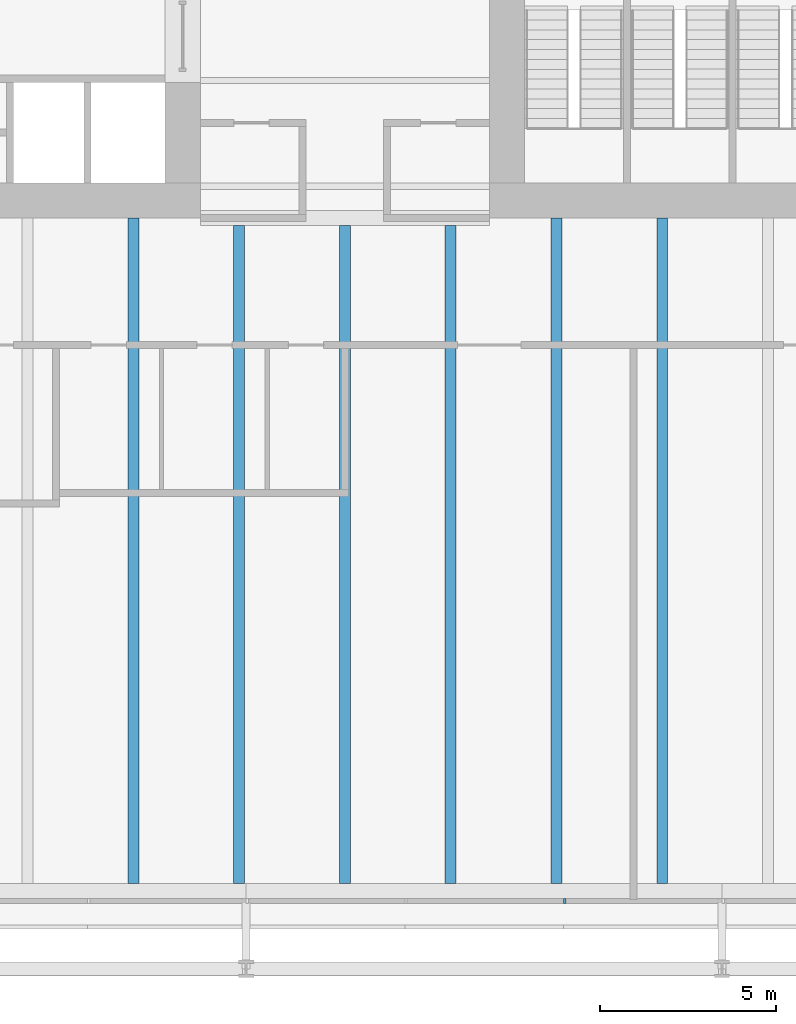
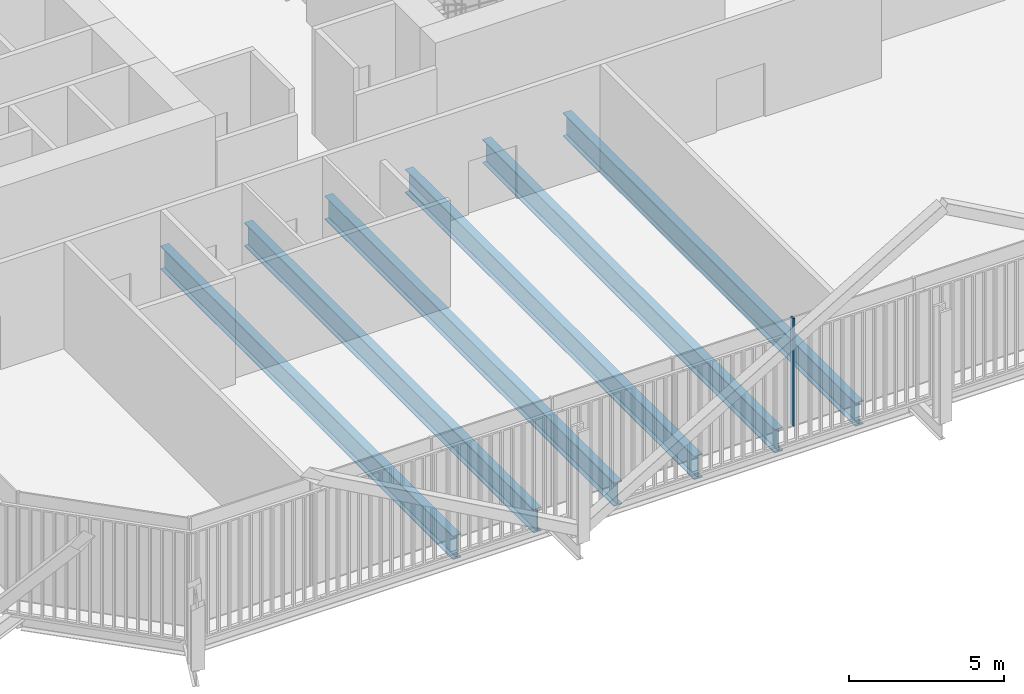
# One storey, part 4 of 21: 6 beams, 1 member, 1 element without a shape of its own.
"""IFC4 building model written with IfcOpenShell, lengths in metres."""

import ifcopenshell
import ifcopenshell.guid

model = None  # the IFC model being written
_history = None  # IfcOwnerHistory: only IFC2X3 demands one
_inside = {}  # id of a spatial element -> (the spatial element, [elements in it])
_under = {}  # id of a project, library or spatial element -> (it, [spatial elements below it])
_declared = {}  # id of a project -> (the project, [libraries it declares])
_typed = {}  # id of a type object -> (the type object, [elements of that type])
_made_of = {}  # id of a material, layer set ... -> (it, [elements and type objects made of it])


def new_model(schema):
    """Start an empty IFC model of exactly this schema.

    Asked for "IFC4X3", IfcOpenShell would pick the latest addendum, in which some entities
    have other attributes; the version numbers below select the first issue.
    IFC2X3 requires an IfcOwnerHistory on every rooted entity: one is made here for all.
    """
    global model, _history
    if schema == "IFC4X3":
        model = ifcopenshell.file(schema_version=(4, 3, 0, 0))
    else:
        model = ifcopenshell.file(schema=schema)
    _inside.clear()
    _under.clear()
    _declared.clear()
    _typed.clear()
    _made_of.clear()
    _history = None
    if model.schema == "IFC2X3":
        org = make("IfcOrganization", Name="unknown")
        user = make(
            "IfcPersonAndOrganization",
            ThePerson=make("IfcPerson", FamilyName="unknown"),
            TheOrganization=org,
        )
        app = make(
            "IfcApplication",
            ApplicationDeveloper=org,
            Version="unknown",
            ApplicationFullName="unknown",
            ApplicationIdentifier="unknown",
        )
        _history = make(
            "IfcOwnerHistory",
            OwningUser=user,
            OwningApplication=app,
            ChangeAction="ADDED",
            CreationDate=0,
        )
    return model


def make(cls, **values):
    """One entity of the class cls with the attributes given. An attribute that is None is left unset."""
    return model.create_entity(
        cls, **{name: value for name, value in values.items() if value is not None}
    )


def rooted(cls, **values):
    """An entity with a GlobalId (a new one), such as an element, a storey or a relation."""
    return make(cls, GlobalId=ifcopenshell.guid.new(), OwnerHistory=_history, **values)


def si_unit(unit_type, name, prefix=None):
    """IfcSIUnit, for example si_unit("LENGTHUNIT", "METRE", prefix="MILLI")."""
    return make("IfcSIUnit", UnitType=unit_type, Prefix=prefix, Name=name)


def assignment(units):
    """IfcUnitAssignment: the units of a project."""
    return None if units is None else make("IfcUnitAssignment", Units=units)


def point(xyz):
    """IfcCartesianPoint."""
    return None if xyz is None else make("IfcCartesianPoint", Coordinates=xyz)


def direction(xyz):
    """IfcDirection."""
    return None if xyz is None else make("IfcDirection", DirectionRatios=xyz)


def frame(location, z_axis=None, x_axis=None):
    """IfcAxis2Placement3D, a coordinate frame: its origin and axes. An axis left out is left unset."""
    return make(
        "IfcAxis2Placement3D",
        Location=point(location),
        Axis=direction(z_axis),
        RefDirection=direction(x_axis),
    )


def frame_2d(location, x_axis=None):
    """IfcAxis2Placement2D, a coordinate frame in the plane: its origin and x axis."""
    return make(
        "IfcAxis2Placement2D", Location=point(location), RefDirection=direction(x_axis)
    )


def origin():
    """The frame at (0, 0, 0) with its axes left unset."""
    return frame((0.0, 0.0, 0.0))


def origin_2d():
    """The frame at (0, 0) in the plane with its x axis left unset."""
    return frame_2d((0.0, 0.0))


def place(relative_to, where):
    """IfcLocalPlacement: puts the frame where relative to a parent placement (None: the world)."""
    return make(
        "IfcLocalPlacement", PlacementRelTo=relative_to, RelativePlacement=where
    )


def context(
    kind, dimensions, precision=None, world=None, true_north=None, identifier=None
):
    """IfcGeometricRepresentationContext, for example the 3D "Model" context."""
    return make(
        "IfcGeometricRepresentationContext",
        ContextIdentifier=identifier,
        ContextType=kind,
        CoordinateSpaceDimension=dimensions,
        Precision=precision,
        WorldCoordinateSystem=world,
        TrueNorth=true_north,
    )


def subcontext(parent, identifier, kind, view, scale=None):
    """IfcGeometricRepresentationSubContext, for example "Body" below "Model"."""
    return make(
        "IfcGeometricRepresentationSubContext",
        ContextIdentifier=identifier,
        ContextType=kind,
        ParentContext=parent,
        TargetScale=scale,
        TargetView=view,
    )


def project(units=None, contexts=None):
    """IfcProject with its units and contexts."""
    return rooted(
        "IfcProject",
        Name="project",
        RepresentationContexts=contexts,
        UnitsInContext=assignment(units),
    )


def spatial(cls, under=None, at=None, **own):
    """A site, building, storey or space (cls), placed at a placement, below another one or the project."""
    s = rooted(cls, ObjectPlacement=at, **own)
    if under is not None:
        _under.setdefault(under.id(), (under, []))[1].append(s)
    return s


def profile(cls, at=None, kind="AREA", **sizes):
    """A parametric profile (cls). Its sizes go by their IFC names, for example OverallWidth=200.0."""
    return make(cls, ProfileType=kind, Position=at, **sizes)


def rectangle(**sizes):
    """IfcRectangleProfileDef."""
    return profile("IfcRectangleProfileDef", **sizes)


def i_section(**sizes):
    """IfcIShapeProfileDef."""
    return profile("IfcIShapeProfileDef", **sizes)


def extrude(swept, where, along, depth):
    """IfcExtrudedAreaSolid: the profile swept, set in the frame where, extruded along a direction by depth."""
    return make(
        "IfcExtrudedAreaSolid",
        SweptArea=swept,
        Position=where,
        ExtrudedDirection=direction(along),
        Depth=depth,
    )


def shape(context_of_items, identifier, shape_type, items):
    """IfcShapeRepresentation: the items that make up one representation, for example the "Body"."""
    return make(
        "IfcShapeRepresentation",
        ContextOfItems=context_of_items,
        RepresentationIdentifier=identifier,
        RepresentationType=shape_type,
        Items=items,
    )


def material(Name=None, Category=None):
    """IfcMaterial."""
    return make("IfcMaterial", Name=Name, Category=Category)


def layer(
    of_material, thickness, ventilated=None, Name=None, Category=None, Priority=None
):
    """IfcMaterialLayer: one layer of a wall or slab, of a material (None: an air gap)."""
    return make(
        "IfcMaterialLayer",
        Material=of_material,
        LayerThickness=thickness,
        IsVentilated=ventilated,
        Name=Name,
        Category=Category,
        Priority=Priority,
    )


def layer_set(layers, Name=None):
    """IfcMaterialLayerSet."""
    return make("IfcMaterialLayerSet", MaterialLayers=layers, LayerSetName=Name)


def material_profile(
    of_material, cross_section, Name=None, Category=None, Priority=None
):
    """IfcMaterialProfile: a cross section and its material."""
    return make(
        "IfcMaterialProfile",
        Name=Name,
        Material=of_material,
        Profile=cross_section,
        Priority=Priority,
        Category=Category,
    )


def profile_set(profiles, Name=None, composite=None):
    """IfcMaterialProfileSet."""
    return make(
        "IfcMaterialProfileSet",
        Name=Name,
        MaterialProfiles=profiles,
        CompositeProfile=composite,
    )


def made_of(thing, what):
    """Note that an element or type object is made of a material, layer set ...; save() writes the relation."""
    if what is not None:
        _made_of.setdefault(what.id(), (what, []))[1].append(thing)
    return thing


def type_object(cls, material=None, **own):
    """A type object (cls), such as IfcWallType, which elements share."""
    return made_of(rooted(cls, **own), material)


def element(
    cls,
    number,
    at=None,
    inside=None,
    cuts=None,
    type_object=None,
    material=None,
    context=None,
    identifier="Body",
    shape_type=None,
    held_by="IfcProductDefinitionShape",
    body=None,
    shapes=None,
    **own,
):
    """One element of the class cls, such as IfcWall. Its Tag is "e" and its number.

    at: its placement. inside: the storey or other place that contains it. cuts: it is an
    opening in that element (IfcRelVoidsElement). A single representation is given by context,
    identifier, shape_type and body (its items); several are given by shapes. held_by: the class
    of the entity that holds the representations. save() writes the other relations.
    """
    e = rooted(cls, Tag="e%d" % number, ObjectPlacement=at, **own)
    if body is not None:
        shapes = [shape(context, identifier, shape_type, body)]
    if shapes is not None:
        e.Representation = make(held_by, Representations=shapes)
    if inside is not None:
        _inside.setdefault(inside.id(), (inside, []))[1].append(e)
    if cuts is not None:
        rooted(
            "IfcRelVoidsElement", RelatingBuildingElement=cuts, RelatedOpeningElement=e
        )
    if type_object is not None:
        _typed.setdefault(type_object.id(), (type_object, []))[1].append(e)
    return made_of(e, material)


def aggregate(whole, parts):
    """IfcRelAggregates: a whole, such as a stair, and the parts it consists of."""
    return rooted("IfcRelAggregates", RelatingObject=whole, RelatedObjects=parts)


def save(model, path):
    """Write the relations noted so far, then the file.

    IfcRelAggregates (storeys below a building ...), IfcRelContainedInSpatialStructure (elements
    in a storey), IfcRelDefinesByType, IfcRelAssociatesMaterial and IfcRelDeclares: one each for
    every whole, place, type object, material and project.
    """
    for whole, parts in _under.values():
        aggregate(whole, parts)
    for where, things in _inside.values():
        rooted(
            "IfcRelContainedInSpatialStructure",
            RelatedElements=things,
            RelatingStructure=where,
        )
    for kind, things in _typed.values():
        rooted("IfcRelDefinesByType", RelatedObjects=things, RelatingType=kind)
    for what, things in _made_of.values():
        rooted("IfcRelAssociatesMaterial", RelatedObjects=things, RelatingMaterial=what)
    for by, libraries in _declared.values():
        rooted("IfcRelDeclares", RelatingContext=by, RelatedDefinitions=libraries)
    model.write(path)


model = new_model("IFC4")

# Units and contexts
model_context = context("Model", 3, precision=1e-05, world=origin(), true_north=direction((0.0, 1.0)))
body_context = subcontext(model_context, "Body", "Model", "MODEL_VIEW")
ifc_project = project(units=[si_unit("LENGTHUNIT", "METRE"), si_unit("AREAUNIT", "SQUARE_METRE"), si_unit("VOLUMEUNIT", "CUBIC_METRE"), si_unit("PLANEANGLEUNIT", "RADIAN"), si_unit("MASSUNIT", "GRAM", prefix="KILO")], contexts=[model_context])

# Site, building, storey
site_placement = place(None, origin())
site = spatial("IfcSite", under=ifc_project, at=site_placement, CompositionType="ELEMENT")
building_placement = place(site_placement, origin())
building = spatial("IfcBuilding", under=site, at=building_placement, Name="Millrace Tower", CompositionType="ELEMENT")
storey_placement = place(building_placement, frame((0.0, 0.0, 95.199951171875)))
storey = spatial("IfcBuildingStorey", under=building, at=storey_placement, Name="L21", CompositionType="ELEMENT", Elevation=95.199951171875)

# Curtain wall, member
ifc_material_1 = material(Name="Aluminium and glass", Category="aluminium")
ifc_layer = layer(ifc_material_1, 0.14990234375)
ifc_layer_set = layer_set([ifc_layer], Name="Aluminium and glass")
curtain_wall_type = type_object("IfcCurtainWallType", Name="CW-3 telecom floor curtain wall", PredefinedType="NOTDEFINED", material=ifc_layer_set)
curtain_wall_placement = place(storey_placement, origin())
curtain_wall = element("IfcCurtainWall", 1, at=curtain_wall_placement, inside=storey, type_object=curtain_wall_type, Name="Curtain wall B-F02 L21", PredefinedType="NOTDEFINED")
ifc_material_2 = material(Name="Aluminium", Category="aluminium")
ifc_material_profile_1 = material_profile(ifc_material_2, rectangle(XDim=0.06494140625, YDim=0.14990234375, at=origin_2d()))
ifc_profile_set_1 = profile_set([ifc_material_profile_1], Name="Aluminium")
member_type = type_object("IfcMemberType", Name="CW-3 telecom floor curtain wall mullion", PredefinedType="MULLION", material=ifc_profile_set_1)
member_placement = place(storey_placement, frame((6.232421875, -29.27490234375, 0.150146484375), z_axis=(0.0, 0.0, 1.0), x_axis=(1.0, 0.0, 0.0)))
member = element("IfcMember", 2, at=member_placement, type_object=member_type, Name="CW3 mullion B-F02.6", PredefinedType="MULLION", context=body_context, shape_type="SweptSolid", body=[
    extrude(rectangle(XDim=0.06494140625, YDim=0.14990234375, at=origin_2d()), origin(), (0.0, 0.0, 1.0), 4.25),
])
aggregate(curtain_wall, [member])

# Beams
ifc_material_3 = material(Name="Steel ASTM A992 Grade 50", Category="steel")
ifc_material_profile_2 = material_profile(ifc_material_3, i_section(OverallWidth=0.307373046875, OverallDepth=0.927001953125, WebThickness=0.01953125, FlangeThickness=0.031982421875, FilletRadius=0.01904296875, at=origin_2d()))
ifc_profile_set_2 = profile_set([ifc_material_profile_2], Name="Steel ASTM A992 Grade 50")
beam_type = type_object("IfcBeamType", Name="Floor beam W36x194", PredefinedType="JOIST", material=ifc_profile_set_2)
beam_placement = place(storey_placement, frame((-6.0, -28.781005859375, -0.66357421875), z_axis=(0.0, 1.0, 0.0), x_axis=(-1.0, 0.0, 0.0)))
element("IfcBeam", 3, at=beam_placement, inside=storey, type_object=beam_type, Name="BM-B-L21-S1-S045", PredefinedType="JOIST", context=body_context, shape_type="SweptSolid", body=[
    extrude(i_section(OverallWidth=0.307373046875, OverallDepth=0.927001953125, WebThickness=0.01953125, FlangeThickness=0.031982421875, FilletRadius=0.01904296875, at=origin_2d()), origin(), (0.0, 0.0, 1.0), 18.881103515625),
])
for number, where, z_axis, x_axis, name in (
    (4, (-3.0, -28.781005859375, -0.66357421875), (0.0, 1.0, 0.0), (-1.0, 0.0, 0.0), "BM-B-L21-S1-S047"),
    (5, (0.0, -28.781005859375, -0.66357421875), (0.0, 1.0, 0.0), (-1.0, 0.0, 0.0), "BM-B-L21-S1-S049"),
    (6, (3.0, -28.781005859375, -0.66357421875), (0.0, 1.0, 0.0), (-1.0, 0.0, 0.0), "BM-B-L21-S1-S051"),
):
    element("IfcBeam", number, at=place(storey_placement, frame(where, z_axis=z_axis, x_axis=x_axis)), inside=storey, type_object=beam_type, Name=name, PredefinedType="JOIST", context=body_context, shape_type="SweptSolid", body=[
        extrude(i_section(OverallWidth=0.307373046875, OverallDepth=0.927001953125, WebThickness=0.01953125, FlangeThickness=0.031982421875, FilletRadius=0.01904296875, at=origin_2d()), origin(), (0.0, 0.0, 1.0), 18.670166015625),
    ])
for number, where, z_axis, x_axis, name in (
    (7, (6.0, -28.781005859375, -0.66357421875), (0.0, 1.0, 0.0), (-1.0, 0.0, 0.0), "BM-B-L21-S1-S053"),
    (8, (9.0, -28.781005859375, -0.66357421875), (0.0, 1.0, 0.0), (-1.0, 0.0, 0.0), "BM-B-L21-S1-S055"),
):
    element("IfcBeam", number, at=place(storey_placement, frame(where, z_axis=z_axis, x_axis=x_axis)), inside=storey, type_object=beam_type, Name=name, PredefinedType="JOIST", context=body_context, shape_type="SweptSolid", body=[
        extrude(i_section(OverallWidth=0.307373046875, OverallDepth=0.927001953125, WebThickness=0.01953125, FlangeThickness=0.031982421875, FilletRadius=0.01904296875, at=origin_2d()), origin(), (0.0, 0.0, 1.0), 18.881103515625),
    ])

save(model, "model.ifc")
